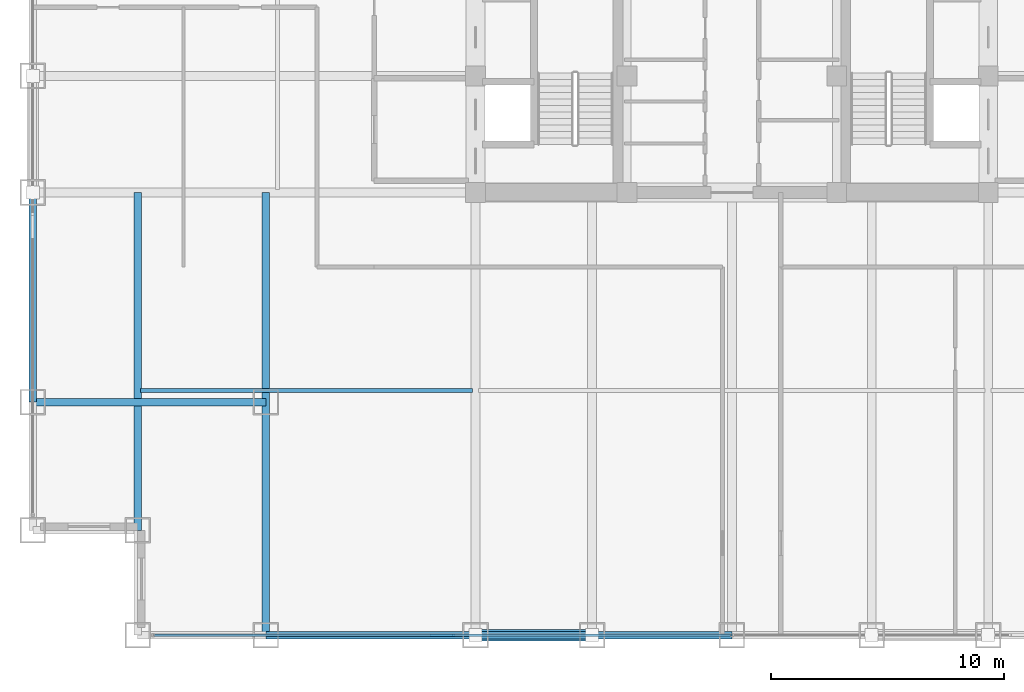
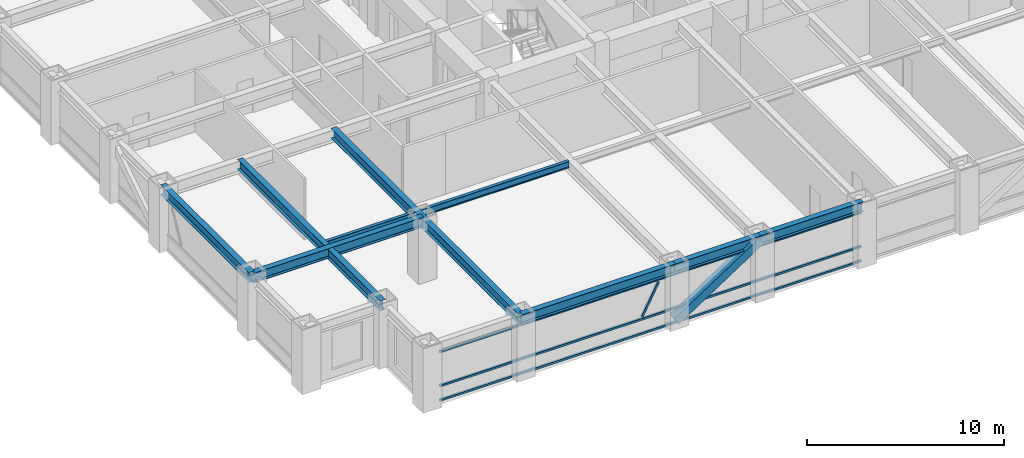
# One storey, part 3 of 25: 8 beams, 5 members, 1 element without a shape of its own.
"""IFC4 building model written with IfcOpenShell, lengths in metres."""

from ifc_helpers import new_model, si_unit, direction, frame, origin, origin_2d, place, context, subcontext, project, spatial, hollow_rectangle, i_section, extrude, source, transform, mapped, material, material_profile, profile_set, type_object, element, aggregate, save


model = new_model("IFC4")

# Units and contexts
model_context = context("Model", 3, precision=1e-05, world=origin(), true_north=direction((0.0, 1.0)))
body_context = subcontext(model_context, "Body", "Model", "MODEL_VIEW")
ifc_project = project(units=[si_unit("LENGTHUNIT", "METRE"), si_unit("AREAUNIT", "SQUARE_METRE"), si_unit("VOLUMEUNIT", "CUBIC_METRE"), si_unit("PLANEANGLEUNIT", "RADIAN"), si_unit("MASSUNIT", "GRAM", prefix="KILO")], contexts=[model_context])

# Site, building, storey
site_placement = place(None, origin())
site = spatial("IfcSite", under=ifc_project, at=site_placement, CompositionType="ELEMENT")
building_placement = place(site_placement, origin())
building = spatial("IfcBuilding", under=site, at=building_placement, Name="Khorayat Bourse Tower", CompositionType="ELEMENT")
storey_placement = place(building_placement, frame((0.0, 0.0, 195.10009765625)))
storey = spatial("IfcBuildingStorey", under=building, at=storey_placement, Name="L45", CompositionType="ELEMENT", Elevation=195.10009765625)

# Beams
ifc_material_1 = material(Name="Steel ASTM A992 Grade 50", Category="steel")
ifc_material_profile_1 = material_profile(ifc_material_1, i_section(OverallWidth=0.324951171875, OverallDepth=0.615966796875, WebThickness=0.013916015625, FlangeThickness=0.021484375, FilletRadius=0.01611328125, at=origin_2d()), Name="W610X174")
ifc_profile_set_1 = profile_set([ifc_material_profile_1], Name="Steel ASTM A992 Grade 50")
beam_type_1 = type_object("IfcBeamType", Name="BM-GIRD-610", PredefinedType="BEAM", material=ifc_profile_set_1)
shared_shape_1 = source(origin(), body_context, "Body", "SweptSolid", [
    extrude(i_section(OverallWidth=0.324951171875, OverallDepth=0.615966796875, WebThickness=0.013916015625, FlangeThickness=0.021484375, FilletRadius=0.01611328125, at=origin_2d()), origin(), (0.0, 0.0, 1.0), 19.0),
])
beam_1_placement = place(storey_placement, frame((-20.0, -30.0, 3.471923828125), z_axis=(0.0, 1.0, 0.0), x_axis=(-1.0, 0.0, 0.0)))
element("IfcBeam", 1, at=beam_1_placement, inside=storey, type_object=beam_type_1, Name="L45 BM-GIRD-610 BM-L45-CNRY-084", PredefinedType="BEAM", context=body_context, shape_type="MappedRepresentation", body=[
    mapped(shared_shape_1, transform((0.0, 0.0, 0.0), scale=1.0)),
])
shared_shape_2 = source(origin(), body_context, "Body", "SweptSolid", [
    extrude(i_section(OverallWidth=0.324951171875, OverallDepth=0.615966796875, WebThickness=0.013916015625, FlangeThickness=0.021484375, FilletRadius=0.01611328125, at=origin_2d()), origin(), (0.0, 0.0, 1.0), 14.5),
])
beam_2_placement = place(storey_placement, frame((-25.5, -25.5, 3.471923828125), z_axis=(0.0, 1.0, 0.0), x_axis=(-1.0, 0.0, 0.0)))
element("IfcBeam", 2, at=beam_2_placement, inside=storey, type_object=beam_type_1, Name="L45 BM-GIRD-610 BM-L45-CNRY-088", PredefinedType="BEAM", context=body_context, shape_type="MappedRepresentation", body=[
    mapped(shared_shape_2, transform((0.0, 0.0, 0.0), scale=1.0)),
])
shared_shape_3 = source(origin(), body_context, "Body", "SweptSolid", [
    extrude(i_section(OverallWidth=0.324951171875, OverallDepth=0.615966796875, WebThickness=0.013916015625, FlangeThickness=0.021484375, FilletRadius=0.01611328125, at=origin_2d()), origin(), (0.0, 0.0, 1.0), 10.0),
])
beam_3_placement = place(storey_placement, frame((-30.0, -20.0, 3.471923828125), z_axis=(1.0, 0.0, 0.0), x_axis=(0.0, 1.0, 0.0)))
element("IfcBeam", 3, at=beam_3_placement, inside=storey, type_object=beam_type_1, Name="L45 BM-GIRD-610 BM-L45-CNRX-093", PredefinedType="BEAM", context=body_context, shape_type="MappedRepresentation", body=[
    mapped(shared_shape_3, transform((0.0, 0.0, 0.0), scale=1.0)),
])
ifc_material_profile_2 = material_profile(ifc_material_1, i_section(OverallWidth=0.180908203125, OverallDepth=0.4169921875, WebThickness=0.010986328125, FlangeThickness=0.018310546875, FilletRadius=0.011962890625, at=origin_2d()), Name="W410X85")
ifc_profile_set_2 = profile_set([ifc_material_profile_2], Name="Steel ASTM A992 Grade 50")
beam_type_2 = type_object("IfcBeamType", Name="BM-JOIST-410", PredefinedType="JOIST", material=ifc_profile_set_2)
shared_shape_4 = source(origin(), body_context, "Body", "SweptSolid", [
    extrude(i_section(OverallWidth=0.180908203125, OverallDepth=0.4169921875, WebThickness=0.010986328125, FlangeThickness=0.018310546875, FilletRadius=0.011962890625, at=origin_2d()), origin(), (0.0, 0.0, 1.0), 14.240234375),
])
beam_4_placement = place(storey_placement, frame((-25.3701171875, -19.5, 3.5712890625), z_axis=(1.0, 0.0, 0.0), x_axis=(0.0, 1.0, 0.0)))
element("IfcBeam", 4, at=beam_4_placement, inside=storey, type_object=beam_type_2, Name="L45 BM-JOIST-410 BM-L45-JSTX-096", PredefinedType="JOIST", context=body_context, shape_type="MappedRepresentation", body=[
    mapped(shared_shape_4, transform((0.0, 0.0, 0.0), scale=1.0)),
])
ifc_material_profile_3 = material_profile(ifc_material_1, i_section(OverallWidth=0.324951171875, OverallDepth=0.615966796875, WebThickness=0.013916015625, FlangeThickness=0.021484375, FilletRadius=0.01611328125, at=origin_2d()), Name="W610X174")
ifc_profile_set_3 = profile_set([ifc_material_profile_3], Name="Steel ASTM A992 Grade 50")
beam_type_3 = type_object("IfcBeamType", Name="BM-SPAN-610", PredefinedType="SPANDREL", material=ifc_profile_set_3)
shared_shape_5 = source(origin(), body_context, "Body", "SweptSolid", [
    extrude(i_section(OverallWidth=0.324951171875, OverallDepth=0.615966796875, WebThickness=0.013916015625, FlangeThickness=0.021484375, FilletRadius=0.01611328125, at=origin_2d()), origin(), (0.0, 0.0, 1.0), 9.0),
])
for number, where, z_axis, x_axis, name in (
    (5, (-20.0, -30.0, 3.471923828125), (1.0, 0.0, 0.0), (0.0, 1.0, 0.0), "L45 BM-SPAN-610 BM-L45-SPN-025"),
    (6, (-30.0, -20.0, 3.471923828125), (0.0, 1.0, 0.0), (-1.0, 0.0, 0.0), "L45 BM-SPAN-610 BM-L45-SPN-060"),
):
    element("IfcBeam", number, at=place(storey_placement, frame(where, z_axis=z_axis, x_axis=x_axis)), inside=storey, type_object=beam_type_3, Name=name, PredefinedType="SPANDREL", context=body_context, shape_type="MappedRepresentation", body=[
        mapped(shared_shape_5, transform((0.0, 0.0, 0.0), scale=1.0)),
    ])
shared_shape_6 = source(origin(), body_context, "Body", "SweptSolid", [
    extrude(i_section(OverallWidth=0.324951171875, OverallDepth=0.615966796875, WebThickness=0.013916015625, FlangeThickness=0.021484375, FilletRadius=0.01611328125, at=origin_2d()), origin(), (0.0, 0.0, 1.0), 5.0),
])
beam_5_placement = place(storey_placement, frame((-11.0, -30.0, 3.471923828125), z_axis=(1.0, 0.0, 0.0), x_axis=(0.0, 1.0, 0.0)))
element("IfcBeam", 7, at=beam_5_placement, inside=storey, type_object=beam_type_3, Name="L45 BM-SPAN-610 BM-L45-SPN-026", PredefinedType="SPANDREL", context=body_context, shape_type="MappedRepresentation", body=[
    mapped(shared_shape_6, transform((0.0, 0.0, 0.0), scale=1.0)),
])
shared_shape_7 = source(origin(), body_context, "Body", "SweptSolid", [
    extrude(i_section(OverallWidth=0.324951171875, OverallDepth=0.615966796875, WebThickness=0.013916015625, FlangeThickness=0.021484375, FilletRadius=0.01611328125, at=origin_2d()), origin(), (0.0, 0.0, 1.0), 6.0),
])
beam_6_placement = place(storey_placement, frame((-6.0, -30.0, 3.471923828125), z_axis=(1.0, 0.0, 0.0), x_axis=(0.0, 1.0, 0.0)))
element("IfcBeam", 8, at=beam_6_placement, inside=storey, type_object=beam_type_3, Name="L45 BM-SPAN-610 BM-L45-SPN-027", PredefinedType="SPANDREL", context=body_context, shape_type="MappedRepresentation", body=[
    mapped(shared_shape_7, transform((0.0, 0.0, 0.0), scale=1.0)),
])

# Member
ifc_material_2 = material(Name="Steel EN 10025-4 S460M", Category="steel")
ifc_material_profile_4 = material_profile(ifc_material_2, hollow_rectangle(XDim=0.5, YDim=0.5, WallThickness=0.028076171875, at=origin_2d()), Name="HSS 500x500x28")
ifc_profile_set_4 = profile_set([ifc_material_profile_4], Name="Steel EN 10025-4 S460M")
member_type_1 = type_object("IfcMemberType", Name="MBR-TUBE-500", PredefinedType="BRACE", material=ifc_profile_set_4)
shared_shape_8 = source(origin(), body_context, "Body", "SweptSolid", [
    extrude(hollow_rectangle(XDim=0.5, YDim=0.5, WallThickness=0.028076171875, at=origin_2d()), origin(), (0.0, 0.0, 1.0), 5.979736328125),
])
member_1_placement = place(storey_placement, frame((-11.0, -30.0, 0.25), z_axis=(0.836160261256, 0.0, 0.548485202623), x_axis=(0.0, 1.0, 0.0)))
element("IfcMember", 9, at=member_1_placement, inside=storey, type_object=member_type_1, Name="L45 Perimeter Tube Brace 01", PredefinedType="BRACE", context=body_context, shape_type="MappedRepresentation", body=[
    mapped(shared_shape_8, transform((0.0, 0.0, 0.0), scale=1.0)),
])

# Curtain wall, members
ifc_material_3 = material(Name="Aluminium EN AW-6063 T6", Category="aluminium")
curtain_wall_type = type_object("IfcCurtainWallType", Name="CW-SYS-03", PredefinedType="NOTDEFINED", material=ifc_material_3)
curtain_wall_placement = place(storey_placement, origin())
curtain_wall = element("IfcCurtainWall", 10, at=curtain_wall_placement, inside=storey, type_object=curtain_wall_type, Name="L45 Curtain Wall CW-L45-S1", PredefinedType="NOTDEFINED")
ifc_material_profile_5 = material_profile(ifc_material_3, hollow_rectangle(XDim=0.1201171875, YDim=0.1201171875, WallThickness=0.0048828125, at=origin_2d()), Name="ALU 120x120x5")
ifc_profile_set_5 = profile_set([ifc_material_profile_5], Name="Aluminium EN AW-6063 T6")
member_type_2 = type_object("IfcMemberType", Name="CWM-DIAG-120", PredefinedType="MULLION", material=ifc_profile_set_5)
shared_shape_9 = source(origin(), body_context, "Body", "SweptSolid", [
    extrude(hollow_rectangle(XDim=0.1201171875, YDim=0.1201171875, WallThickness=0.0048828125, at=origin_2d()), origin(), (0.0, 0.0, 1.0), 2.079345703125),
])
member_2_placement = place(storey_placement, frame((-12.904296875, -30.0, 1.08984375), z_axis=(0.465760949701, 0.0, 0.884910581773), x_axis=(0.0, 1.0, 0.0)))
member_2 = element("IfcMember", 11, at=member_2_placement, type_object=member_type_2, Name="CW-L45-S1 Faceted Diagonal Mullion 1", PredefinedType="MULLION", context=body_context, shape_type="MappedRepresentation", body=[
    mapped(shared_shape_9, transform((0.0, 0.0, 0.0), scale=1.0)),
])
ifc_material_profile_6 = material_profile(ifc_material_3, hollow_rectangle(XDim=0.1201171875, YDim=0.1201171875, WallThickness=0.0048828125, at=origin_2d()), Name="ALU 120x120x5")
ifc_profile_set_6 = profile_set([ifc_material_profile_6], Name="Aluminium EN AW-6063 T6")
member_type_3 = type_object("IfcMemberType", Name="CWT-HORZ-120", PredefinedType="USERDEFINED", material=ifc_profile_set_6)
shared_shape_10 = source(origin(), body_context, "Body", "SweptSolid", [
    extrude(hollow_rectangle(XDim=0.1201171875, YDim=0.1201171875, WallThickness=0.0048828125, at=origin_2d()), origin(), (0.0, 0.0, 1.0), 24.719970703125),
])
member_3_placement = place(storey_placement, frame((-24.780029296875, -30.0, 0.059814453125), z_axis=(1.0, 0.0, 0.0), x_axis=(0.0, 1.0, 0.0)))
member_3 = element("IfcMember", 12, at=member_3_placement, type_object=member_type_3, Name="CW-L45-S1 Horizontal Transom 1-1", ObjectType="TRANSOM", PredefinedType="USERDEFINED", context=body_context, shape_type="MappedRepresentation", body=[
    mapped(shared_shape_10, transform((0.0, 0.0, 0.0), scale=1.0)),
])
member_4_placement = place(storey_placement, frame((-24.780029296875, -30.0, 0.949951171875), z_axis=(1.0, 0.0, 0.0), x_axis=(0.0, 1.0, 0.0)))
member_4 = element("IfcMember", 13, at=member_4_placement, type_object=member_type_3, Name="CW-L45-S1 Horizontal Transom 1-2", ObjectType="TRANSOM", PredefinedType="USERDEFINED", context=body_context, shape_type="MappedRepresentation", body=[
    mapped(shared_shape_10, transform((0.0, 0.0, 0.0), scale=1.0)),
])
member_5_placement = place(storey_placement, frame((-24.780029296875, -30.0, 3.06982421875), z_axis=(1.0, 0.0, 0.0), x_axis=(0.0, 1.0, 0.0)))
member_5 = element("IfcMember", 14, at=member_5_placement, type_object=member_type_3, Name="CW-L45-S1 Horizontal Transom 1-3", ObjectType="TRANSOM", PredefinedType="USERDEFINED", context=body_context, shape_type="MappedRepresentation", body=[
    mapped(shared_shape_10, transform((0.0, 0.0, 0.0), scale=1.0)),
])
aggregate(curtain_wall, [member_3, member_4, member_5, member_2])

save(model, "model.ifc")
